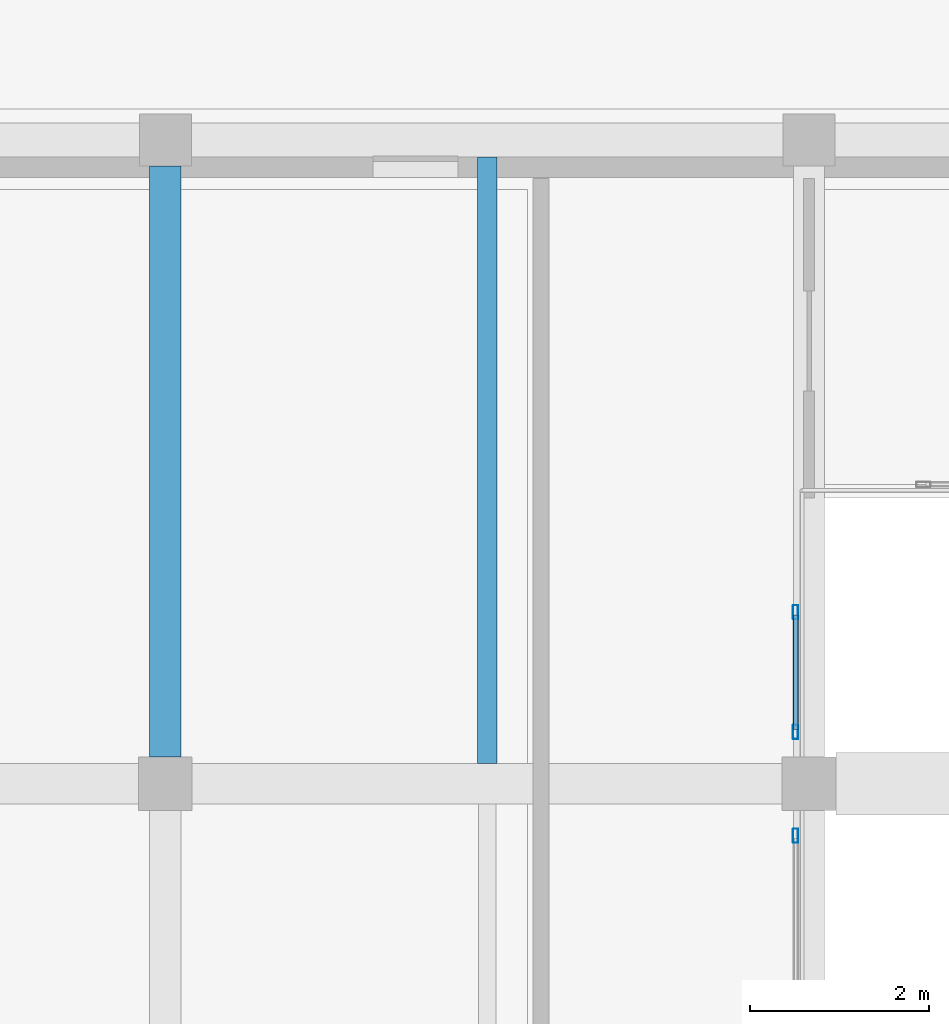
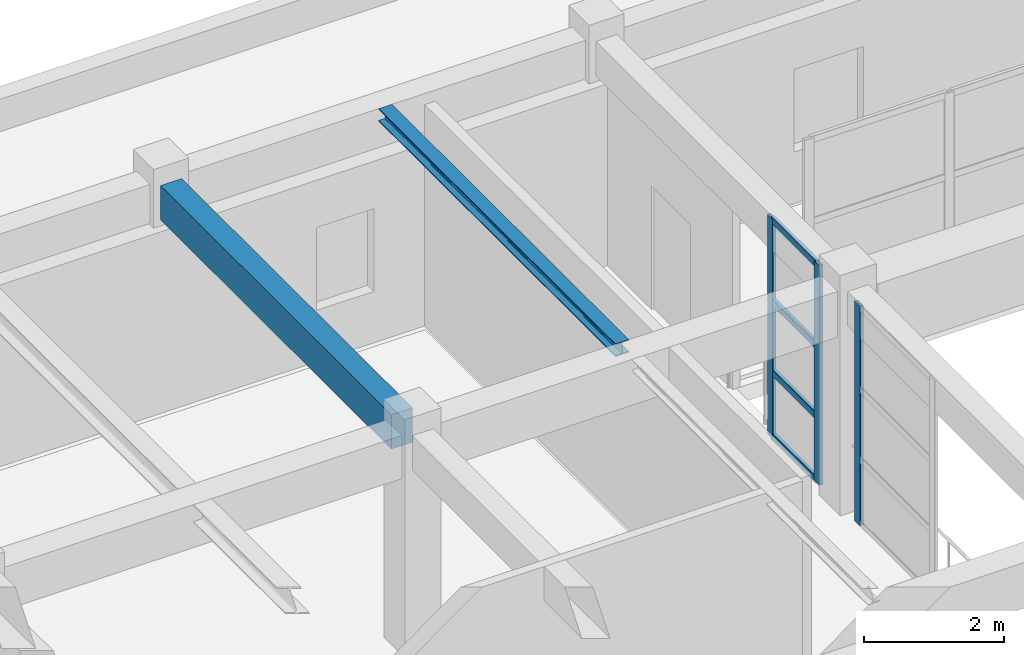
# One storey, part 33 of 99: 7 members, 2 beams, 2 elements without a shape of their own.
"""IFC4 building model written with IfcOpenShell, lengths in metres."""

from ifc_helpers import new_model, si_unit, direction, frame, origin, origin_2d, place, context, subcontext, project, spatial, rectangle, hollow_rectangle, i_section, extrude, material, material_profile, profile_set, type_object, element, aggregate, save


model = new_model("IFC4")

# Units and contexts
model_context = context("Model", 3, precision=1e-05, world=origin(), true_north=direction((0.0, 1.0)))
body_context = subcontext(model_context, "Body", "Model", "MODEL_VIEW")
ifc_project = project(units=[si_unit("LENGTHUNIT", "METRE"), si_unit("AREAUNIT", "SQUARE_METRE"), si_unit("VOLUMEUNIT", "CUBIC_METRE"), si_unit("PLANEANGLEUNIT", "RADIAN"), si_unit("MASSUNIT", "GRAM", prefix="KILO")], contexts=[model_context])

# Site, building, storey
site_placement = place(None, origin())
site = spatial("IfcSite", under=ifc_project, at=site_placement, CompositionType="ELEMENT")
building_placement = place(site_placement, origin())
building = spatial("IfcBuilding", under=site, at=building_placement, Name="Bramveld Media Centre", CompositionType="ELEMENT")
storey_placement = place(building_placement, frame((0.0, 0.0, 13.800048828125)))
storey = spatial("IfcBuildingStorey", under=building, at=storey_placement, Name="L03", CompositionType="ELEMENT", Elevation=13.800048828125)

# Beam
ifc_material_1 = material(Name="Concrete C40/50", Category="concrete")
ifc_material_profile_1 = material_profile(ifc_material_1, rectangle(XDim=0.35009765625, YDim=0.60009765625, at=origin_2d()), Name="RC 350x600")
ifc_profile_set_1 = profile_set([ifc_material_profile_1], Name="Concrete C40/50")
beam_type_1 = type_object("IfcBeamType", Name="BM-INT-RC-350x600", PredefinedType="BEAM", material=ifc_profile_set_1)
beam_1_placement = place(storey_placement, frame((72.800048828125, 105.10009765625, 3.579833984375), z_axis=(0.0, 1.0, 0.0), x_axis=(-1.0, 0.0, 0.0)))
element("IfcBeam", 1, at=beam_1_placement, inside=storey, type_object=beam_type_1, Name="V6 L03 girder Y-1157", PredefinedType="BEAM", context=body_context, shape_type="SweptSolid", body=[
    extrude(rectangle(XDim=0.35009765625, YDim=0.60009765625, at=origin_2d()), origin(), (0.0, 0.0, 1.0), 6.60986328125),
])

# Curtain wall, member
ifc_material_2 = material(Name="Thermally broken anodized bronze aluminium unitized curtain wall with solar-control triple glazing", Category="aluminium")
curtain_wall_type_1 = type_object("IfcCurtainWallType", Name="CW-ATR-2200x3840", PredefinedType="NOTDEFINED", material=ifc_material_2)
curtain_wall_1_placement = place(storey_placement, origin())
curtain_wall_1 = element("IfcCurtainWall", 2, at=curtain_wall_1_placement, inside=storey, type_object=curtain_wall_type_1, Name="V6 L03 atrium acoustic screen W-1", PredefinedType="NOTDEFINED")
ifc_material_3 = material(Name="Thermally broken anodized bronze aluminium EN AW-6063 T6 curtain-wall framing", Category="aluminium")
ifc_material_profile_2 = material_profile(ifc_material_3, hollow_rectangle(XDim=0.06005859375, YDim=0.159912109375, WallThickness=0.00390625, InnerFilletRadius=0.00390625, OuterFilletRadius=0.008056640625, at=origin_2d()), Name="AL-MULL 60x160")
ifc_profile_set_2 = profile_set([ifc_material_profile_2], Name="Thermally broken anodized bronze aluminium EN AW-6063 T6 curtain-wall framing")
member_type_1 = type_object("IfcMemberType", Name="CW-MULL-INT", PredefinedType="MULLION", material=ifc_profile_set_2)
member_1_placement = place(storey_placement, frame((79.85009765625, 104.219970703125, 0.0), z_axis=(0.0, 0.0, 1.0), x_axis=(-1.0, 0.0, 0.0)))
member_1 = element("IfcMember", 3, at=member_1_placement, type_object=member_type_1, Name="CW-AT-2238 mullion 2", PredefinedType="MULLION", context=body_context, shape_type="SweptSolid", body=[
    extrude(hollow_rectangle(XDim=0.06005859375, YDim=0.159912109375, WallThickness=0.00390625, InnerFilletRadius=0.00390625, OuterFilletRadius=0.008056640625, at=origin_2d()), origin(), (0.0, 0.0, 1.0), 3.83984375),
])
aggregate(curtain_wall_1, [member_1])

# Curtain wall, members
ifc_material_4 = material(Name="Thermally broken anodized bronze aluminium unitized curtain wall with solar-control triple glazing", Category="aluminium")
curtain_wall_type_2 = type_object("IfcCurtainWallType", Name="CW-ATR-1400x3840", PredefinedType="NOTDEFINED", material=ifc_material_4)
curtain_wall_2_placement = place(storey_placement, origin())
curtain_wall_2 = element("IfcCurtainWall", 4, at=curtain_wall_2_placement, inside=storey, type_object=curtain_wall_type_2, Name="V6 L03 atrium acoustic screen W-2", PredefinedType="NOTDEFINED")
member_2_placement = place(storey_placement, frame((79.85009765625, 105.3798828125, 0.0), z_axis=(0.0, 0.0, 1.0), x_axis=(-1.0, 0.0, 0.0)))
member_2 = element("IfcMember", 5, at=member_2_placement, type_object=member_type_1, Name="CW-AT-1438 mullion 1", PredefinedType="MULLION", context=body_context, shape_type="SweptSolid", body=[
    extrude(hollow_rectangle(XDim=0.06005859375, YDim=0.159912109375, WallThickness=0.00390625, InnerFilletRadius=0.00390625, OuterFilletRadius=0.008056640625, at=origin_2d()), origin(), (0.0, 0.0, 1.0), 3.83984375),
])
member_3_placement = place(storey_placement, frame((79.85009765625, 106.719970703125, 0.0), z_axis=(0.0, 0.0, 1.0), x_axis=(-1.0, 0.0, 0.0)))
member_3 = element("IfcMember", 6, at=member_3_placement, type_object=member_type_1, Name="CW-AT-1438 mullion 2", PredefinedType="MULLION", context=body_context, shape_type="SweptSolid", body=[
    extrude(hollow_rectangle(XDim=0.06005859375, YDim=0.159912109375, WallThickness=0.00390625, InnerFilletRadius=0.00390625, OuterFilletRadius=0.008056640625, at=origin_2d()), origin(), (0.0, 0.0, 1.0), 3.83984375),
])
ifc_material_5 = material(Name="Thermally broken anodized bronze aluminium EN AW-6063 T6 curtain-wall framing", Category="aluminium")
ifc_material_profile_3 = material_profile(ifc_material_5, hollow_rectangle(XDim=0.06005859375, YDim=0.1201171875, WallThickness=0.00341796875, InnerFilletRadius=0.00341796875, OuterFilletRadius=0.007080078125, at=origin_2d()), Name="AL-TRAN 60x120")
ifc_profile_set_3 = profile_set([ifc_material_profile_3], Name="Thermally broken anodized bronze aluminium EN AW-6063 T6 curtain-wall framing")
member_type_2 = type_object("IfcMemberType", Name="CW-TRAN-INT", PredefinedType="USERDEFINED", material=ifc_profile_set_3)
member_4_placement = place(storey_placement, frame((79.85009765625, 105.409912109375, 0.030029296875), z_axis=(0.0, 1.0, 0.0), x_axis=(-1.0, 0.0, 0.0)))
member_4 = element("IfcMember", 7, at=member_4_placement, type_object=member_type_2, Name="CW-AT-1438 transom 1.1", ObjectType="TRANSOM", PredefinedType="USERDEFINED", context=body_context, shape_type="SweptSolid", body=[
    extrude(hollow_rectangle(XDim=0.06005859375, YDim=0.1201171875, WallThickness=0.00341796875, InnerFilletRadius=0.00341796875, OuterFilletRadius=0.007080078125, at=origin_2d()), origin(), (0.0, 0.0, 1.0), 1.280029296875),
])
member_5_placement = place(storey_placement, frame((79.85009765625, 105.409912109375, 1.14990234375), z_axis=(0.0, 1.0, 0.0), x_axis=(-1.0, 0.0, 0.0)))
member_5 = element("IfcMember", 8, at=member_5_placement, type_object=member_type_2, Name="CW-AT-1438 transom 1.2", ObjectType="TRANSOM", PredefinedType="USERDEFINED", context=body_context, shape_type="SweptSolid", body=[
    extrude(hollow_rectangle(XDim=0.06005859375, YDim=0.1201171875, WallThickness=0.00341796875, InnerFilletRadius=0.00341796875, OuterFilletRadius=0.007080078125, at=origin_2d()), origin(), (0.0, 0.0, 1.0), 1.280029296875),
])
member_6_placement = place(storey_placement, frame((79.85009765625, 105.409912109375, 2.380859375), z_axis=(0.0, 1.0, 0.0), x_axis=(-1.0, 0.0, 0.0)))
member_6 = element("IfcMember", 9, at=member_6_placement, type_object=member_type_2, Name="CW-AT-1438 transom 1.3", ObjectType="TRANSOM", PredefinedType="USERDEFINED", context=body_context, shape_type="SweptSolid", body=[
    extrude(hollow_rectangle(XDim=0.06005859375, YDim=0.1201171875, WallThickness=0.00341796875, InnerFilletRadius=0.00341796875, OuterFilletRadius=0.007080078125, at=origin_2d()), origin(), (0.0, 0.0, 1.0), 1.280029296875),
])
member_7_placement = place(storey_placement, frame((79.85009765625, 105.409912109375, 3.81005859375), z_axis=(0.0, 1.0, 0.0), x_axis=(-1.0, 0.0, 0.0)))
member_7 = element("IfcMember", 10, at=member_7_placement, type_object=member_type_2, Name="CW-AT-1438 transom 1.4", ObjectType="TRANSOM", PredefinedType="USERDEFINED", context=body_context, shape_type="SweptSolid", body=[
    extrude(hollow_rectangle(XDim=0.06005859375, YDim=0.1201171875, WallThickness=0.00341796875, InnerFilletRadius=0.00341796875, OuterFilletRadius=0.007080078125, at=origin_2d()), origin(), (0.0, 0.0, 1.0), 1.280029296875),
])
aggregate(curtain_wall_2, [member_2, member_3, member_4, member_5, member_6, member_7])

# Beam
ifc_material_6 = material(Name="Steel S355J2", Category="steel")
ifc_material_profile_4 = material_profile(ifc_material_6, i_section(OverallWidth=0.219970703125, OverallDepth=0.219970703125, WebThickness=0.009521484375, FlangeThickness=0.01611328125, FilletRadius=0.01806640625, at=origin_2d()), Name="HEB 220")
ifc_profile_set_4 = profile_set([ifc_material_profile_4], Name="Steel S355J2")
beam_type_2 = type_object("IfcBeamType", Name="SBM-INT-HEB-220", PredefinedType="BEAM", material=ifc_profile_set_4)
beam_2_placement = place(storey_placement, frame((76.39990234375, 105.02490234375, 3.77001953125), z_axis=(0.0, 1.0, 0.0), x_axis=(-1.0, 0.0, 0.0)))
element("IfcBeam", 11, at=beam_2_placement, inside=storey, type_object=beam_type_2, Name="V6 L03 secondary floor joist 1172", PredefinedType="BEAM", context=body_context, shape_type="SweptSolid", body=[
    extrude(i_section(OverallWidth=0.219970703125, OverallDepth=0.219970703125, WebThickness=0.009521484375, FlangeThickness=0.01611328125, FilletRadius=0.01806640625, at=origin_2d()), origin(), (0.0, 0.0, 1.0), 6.78515625),
])

save(model, "model.ifc")
